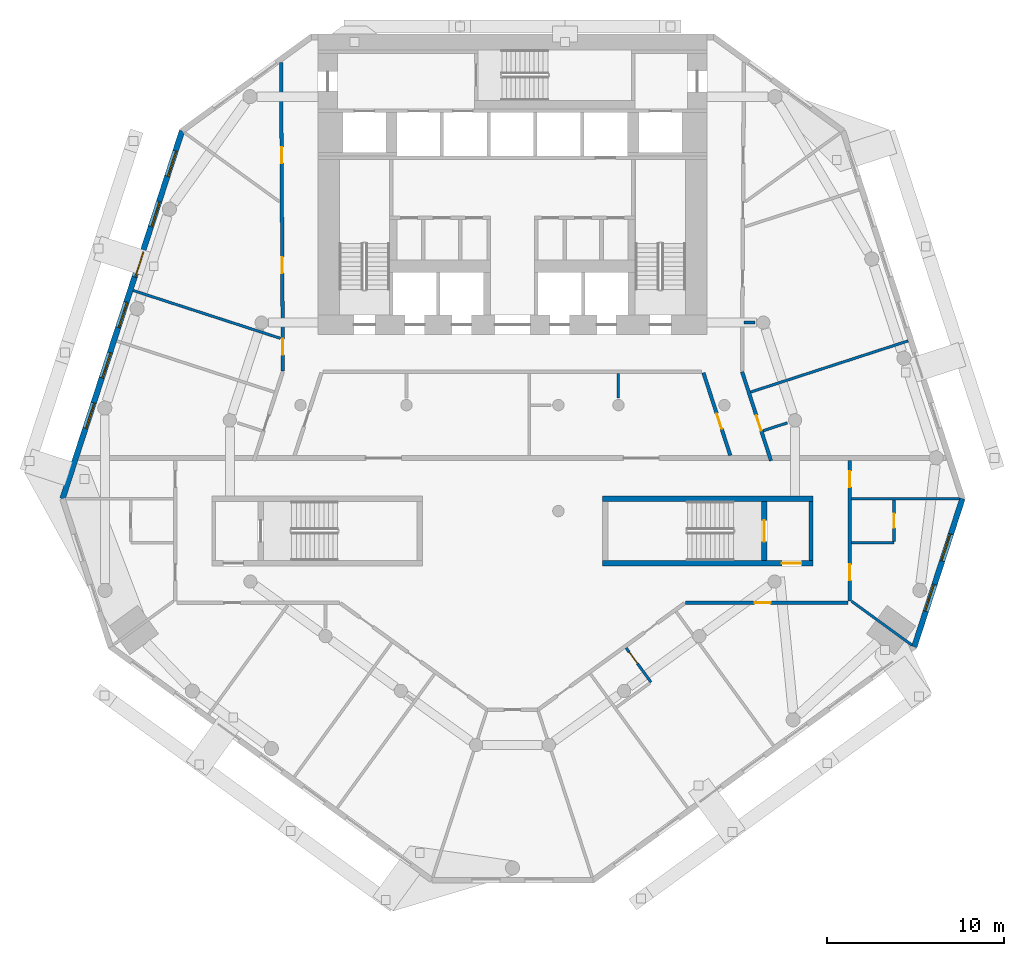
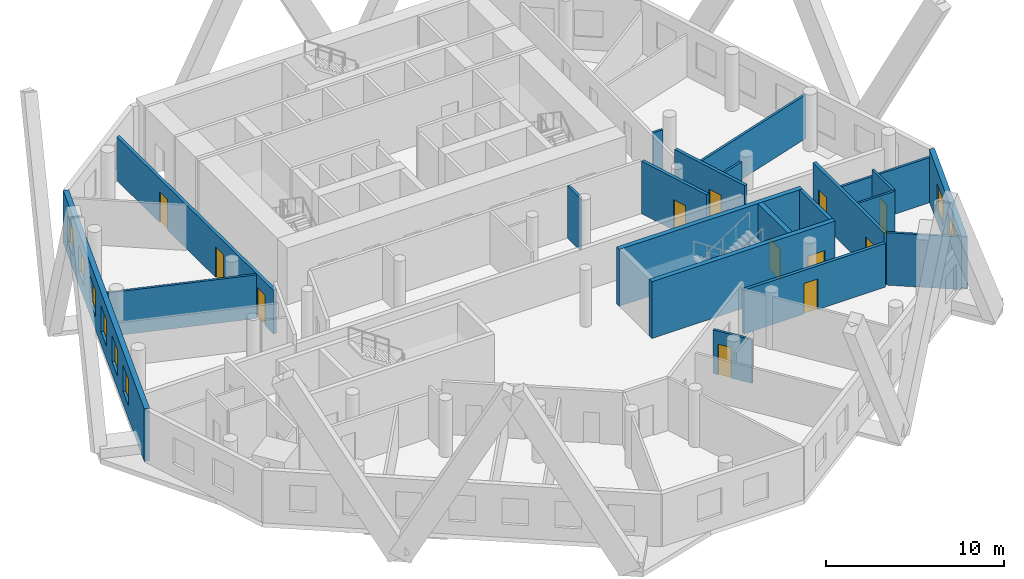
# One storey, part 5 of 10: 21 walls, 12 doors, 8 windows, 20 openings.
"""IFC4 building model written with IfcOpenShell, lengths in metres."""

from ifc_helpers import new_model, si_unit, direction, frame, frame_2d, origin, place, context, subcontext, project, spatial, rectangle, extrude, material, layer, layer_set, type_object, element, fill, save


model = new_model("IFC4")

# Units and contexts
model_context = context("Model", 3, precision=1e-05, world=origin(), true_north=direction((0.0, 1.0)))
body_context = subcontext(model_context, "Body", "Model", "MODEL_VIEW")
ifc_project = project(units=[si_unit("LENGTHUNIT", "METRE"), si_unit("AREAUNIT", "SQUARE_METRE"), si_unit("VOLUMEUNIT", "CUBIC_METRE"), si_unit("PLANEANGLEUNIT", "RADIAN"), si_unit("MASSUNIT", "GRAM", prefix="KILO")], contexts=[model_context])

# Site, building, storey
site_placement = place(None, origin())
site = spatial("IfcSite", under=ifc_project, at=site_placement, CompositionType="ELEMENT")
building_placement = place(site_placement, origin())
building = spatial("IfcBuilding", under=site, at=building_placement, Name="White Candle Pilgrim Tower", CompositionType="ELEMENT")
storey_placement = place(building_placement, frame((0.0, 0.0, 125.89990234375)))
storey = spatial("IfcBuildingStorey", under=building, at=storey_placement, Name="L28", CompositionType="ELEMENT", Elevation=125.89990234375)

# Wall
ifc_material_1 = material(Name="Concrete C60/75", Category="concrete")
ifc_layer_1 = layer(ifc_material_1, 0.199951171875)
ifc_layer_set_1 = layer_set([ifc_layer_1], Name="Core wall 200 mm Concrete C60/75")
wall_type_1 = type_object("IfcWallType", Name="Core wall 200 mm Concrete C60/75", PredefinedType="SHEAR", material=ifc_layer_set_1)
wall_1_placement = place(storey_placement, frame((86.89990234375, 58.199951171875, 0.0), z_axis=(0.0, 0.0, 1.0), x_axis=(0.0, 1.0, 0.0)))
element("IfcWall", 1, at=wall_1_placement, inside=storey, type_object=wall_type_1, Name="WL-L28-C08", PredefinedType="SHEAR", context=body_context, shape_type="SweptSolid", body=[
    extrude(rectangle(XDim=3.35009765625, YDim=0.199951171875, at=frame_2d((1.675048828125, 0.0))), origin(), (0.0, 0.0, 1.0), 3.900146484375),
])

# Wall, openings, doors
ifc_material_2 = material(Name="Gypsum board on steel studs", Category="steel")
ifc_layer_2 = layer(ifc_material_2, 0.199951171875)
ifc_layer_set_2 = layer_set([ifc_layer_2], Name="Corridor wall 200 mm EI 45")
wall_type_2 = type_object("IfcWallType", Name="Corridor wall 200 mm EI 45", PredefinedType="PARTITIONING", material=ifc_layer_set_2)
wall_2_placement = place(storey_placement, frame((57.00390625, 68.916015625, 0.0), z_axis=(0.0, 0.0, 1.0), x_axis=(-0.005949698459, 0.999982300387, 0.0)))
wall_2 = element("IfcWall", 2, at=wall_2_placement, inside=storey, type_object=wall_type_2, Name="WL-L28-P003", PredefinedType="PARTITIONING", context=body_context, shape_type="SweptSolid", body=[
    extrude(rectangle(XDim=17.48046875, YDim=0.199951171875, at=frame_2d((8.740234375, 0.0))), origin(), (0.0, 0.0, 1.0), 3.0),
])
opening_1_placement = place(wall_2_placement, frame((0.931396484375, 0.0, 0.0)))
opening_1 = element("IfcOpeningElement", 3, at=opening_1_placement, cuts=wall_2, Name="Opening T09-118", PredefinedType="OPENING", context=body_context, shape_type="SweptSolid", body=[
    extrude(rectangle(XDim=0.89990234375, YDim=2.10009765625, at=frame_2d((0.449951171875, 1.050048828125))), frame((0.0, 0.10986328125, 0.0), z_axis=(0.0, -1.0, 0.0), x_axis=(1.0, 0.0, 0.0)), (0.0, 0.0, 1.0), 0.219970703125),
])
opening_2_placement = place(wall_2_placement, frame((5.552978515625, 0.0, 0.0)))
opening_2 = element("IfcOpeningElement", 4, at=opening_2_placement, cuts=wall_2, Name="Opening T09-119", PredefinedType="OPENING", context=body_context, shape_type="SweptSolid", body=[
    extrude(rectangle(XDim=0.89990234375, YDim=2.10009765625, at=frame_2d((0.449951171875, 1.050048828125))), frame((0.0, 0.10986328125, 0.0), z_axis=(0.0, -1.0, 0.0), x_axis=(1.0, 0.0, 0.0)), (0.0, 0.0, 1.0), 0.219970703125),
])
opening_3_placement = place(wall_2_placement, frame((11.786376953125, 0.0, 0.0)))
opening_3 = element("IfcOpeningElement", 5, at=opening_3_placement, cuts=wall_2, Name="Opening T09-120", PredefinedType="OPENING", context=body_context, shape_type="SweptSolid", body=[
    extrude(rectangle(XDim=0.89990234375, YDim=2.10009765625, at=frame_2d((0.449951171875, 1.050048828125))), frame((0.0, 0.10986328125, 0.0), z_axis=(0.0, -1.0, 0.0), x_axis=(1.0, 0.0, 0.0)), (0.0, 0.0, 1.0), 0.219970703125),
])
ifc_material_3 = material(Name="Steel door leaf", Category="steel")
door_type_1 = type_object("IfcDoorType", Name="Fire door 900 x 2100 EI 30", OperationType="NOTDEFINED", PredefinedType="DOOR", material=ifc_material_3)
door_1_placement = place(opening_1_placement, origin())
door_1 = element("IfcDoor", 6, at=door_1_placement, inside=storey, type_object=door_type_1, Name="Door T09-118", OperationType="SINGLE_SWING_RIGHT", OverallHeight=2.10009765625, OverallWidth=0.89990234375, PredefinedType="DOOR", context=body_context, shape_type="SweptSolid", body=[
    extrude(rectangle(XDim=0.89990234375, YDim=2.10009765625, at=frame_2d((0.449951171875, 1.050048828125))), frame((0.0, 0.02490234375, 0.0), z_axis=(0.0, -1.0, 0.0), x_axis=(1.0, 0.0, 0.0)), (0.0, 0.0, 1.0), 0.050048828125),
])
fill(opening_1, door_1)
door_2_placement = place(opening_2_placement, origin())
door_2 = element("IfcDoor", 7, at=door_2_placement, inside=storey, type_object=door_type_1, Name="Door T09-119", OperationType="SINGLE_SWING_LEFT", OverallHeight=2.10009765625, OverallWidth=0.89990234375, PredefinedType="DOOR", context=body_context, shape_type="SweptSolid", body=[
    extrude(rectangle(XDim=0.89990234375, YDim=2.10009765625, at=frame_2d((0.449951171875, 1.050048828125))), frame((0.0, 0.02490234375, 0.0), z_axis=(0.0, -1.0, 0.0), x_axis=(1.0, 0.0, 0.0)), (0.0, 0.0, 1.0), 0.050048828125),
])
fill(opening_2, door_2)
door_3_placement = place(opening_3_placement, origin())
door_3 = element("IfcDoor", 8, at=door_3_placement, inside=storey, type_object=door_type_1, Name="Door T09-120", OperationType="SINGLE_SWING_RIGHT", OverallHeight=2.10009765625, OverallWidth=0.89990234375, PredefinedType="DOOR", context=body_context, shape_type="SweptSolid", body=[
    extrude(rectangle(XDim=0.89990234375, YDim=2.10009765625, at=frame_2d((0.449951171875, 1.050048828125))), frame((0.0, 0.02490234375, 0.0), z_axis=(0.0, -1.0, 0.0), x_axis=(1.0, 0.0, 0.0)), (0.0, 0.0, 1.0), 0.050048828125),
])
fill(opening_3, door_3)

# Wall, opening, door
wall_3_placement = place(storey_placement, frame((83.0009765625, 68.884521484375, 0.0), z_axis=(0.0, 0.0, 1.0), x_axis=(0.309051657945, -0.95104525272, 0.0)))
wall_3 = element("IfcWall", 9, at=wall_3_placement, inside=storey, type_object=wall_type_2, Name="WL-L28-P005", PredefinedType="PARTITIONING", context=body_context, shape_type="SweptSolid", body=[
    extrude(rectangle(XDim=5.29345703125, YDim=0.199951171875, at=frame_2d((2.646728515625, 0.0))), origin(), (0.0, 0.0, 1.0), 3.60009765625),
])
opening_4_placement = place(wall_3_placement, frame((2.602294921875, 0.0, 0.0)))
opening_4 = element("IfcOpeningElement", 10, at=opening_4_placement, cuts=wall_3, Name="Opening T09-124", PredefinedType="OPENING", context=body_context, shape_type="SweptSolid", body=[
    extrude(rectangle(XDim=0.89990234375, YDim=2.10009765625, at=frame_2d((0.449951171875, 1.050048828125))), frame((0.0, 0.10986328125, 0.0), z_axis=(0.0, -1.0, 0.0), x_axis=(1.0, 0.0, 0.0)), (0.0, 0.0, 1.0), 0.219970703125),
])
door_4_placement = place(opening_4_placement, origin())
door_4 = element("IfcDoor", 11, at=door_4_placement, inside=storey, type_object=door_type_1, Name="Door T09-124", OperationType="SINGLE_SWING_RIGHT", OverallHeight=2.10009765625, OverallWidth=0.89990234375, PredefinedType="DOOR", context=body_context, shape_type="SweptSolid", body=[
    extrude(rectangle(XDim=0.89990234375, YDim=2.10009765625, at=frame_2d((0.449951171875, 1.050048828125))), frame((0.0, 0.02490234375, 0.0), z_axis=(0.0, -1.0, 0.0), x_axis=(1.0, 0.0, 0.0)), (0.0, 0.0, 1.0), 0.050048828125),
])
fill(opening_4, door_4)

# Wall, openings, doors
wall_4_placement = place(storey_placement, frame((89.10009765625, 63.85009765625, 0.0), z_axis=(0.0, 0.0, 1.0), x_axis=(0.0, -1.0, 0.0)))
wall_4 = element("IfcWall", 12, at=wall_4_placement, inside=storey, type_object=wall_type_2, Name="WL-L28-P006", PredefinedType="PARTITIONING", context=body_context, shape_type="SweptSolid", body=[
    extrude(rectangle(XDim=7.9501953125, YDim=0.199951171875, at=frame_2d((3.97509765625, 0.0))), origin(), (0.0, 0.0, 1.0), 3.60009765625),
])
opening_5_placement = place(wall_4_placement, frame((5.867919921875, 0.0, 0.0)))
opening_5 = element("IfcOpeningElement", 13, at=opening_5_placement, cuts=wall_4, Name="Opening T09-113", PredefinedType="OPENING", context=body_context, shape_type="SweptSolid", body=[
    extrude(rectangle(XDim=0.89990234375, YDim=2.10009765625, at=frame_2d((0.449951171875, 1.050048828125))), frame((0.0, 0.10986328125, 0.0), z_axis=(0.0, -1.0, 0.0), x_axis=(1.0, 0.0, 0.0)), (0.0, 0.0, 1.0), 0.219970703125),
])
opening_6_placement = place(wall_4_placement, frame((0.587890625, 0.0, 0.0)))
opening_6 = element("IfcOpeningElement", 14, at=opening_6_placement, cuts=wall_4, Name="Opening T09-125", PredefinedType="OPENING", context=body_context, shape_type="SweptSolid", body=[
    extrude(rectangle(XDim=0.89990234375, YDim=2.10009765625, at=frame_2d((0.449951171875, 1.050048828125))), frame((0.0, 0.10986328125, 0.0), z_axis=(0.0, -1.0, 0.0), x_axis=(1.0, 0.0, 0.0)), (0.0, 0.0, 1.0), 0.219970703125),
])
door_5_placement = place(opening_5_placement, origin())
door_5 = element("IfcDoor", 15, at=door_5_placement, inside=storey, type_object=door_type_1, Name="Door T09-113", OperationType="SINGLE_SWING_LEFT", OverallHeight=2.10009765625, OverallWidth=0.89990234375, PredefinedType="DOOR", context=body_context, shape_type="SweptSolid", body=[
    extrude(rectangle(XDim=0.89990234375, YDim=2.10009765625, at=frame_2d((0.449951171875, 1.050048828125))), frame((0.0, 0.02490234375, 0.0), z_axis=(0.0, -1.0, 0.0), x_axis=(1.0, 0.0, 0.0)), (0.0, 0.0, 1.0), 0.050048828125),
])
fill(opening_5, door_5)
door_6_placement = place(opening_6_placement, origin())
door_6 = element("IfcDoor", 16, at=door_6_placement, inside=storey, type_object=door_type_1, Name="Door T09-125", OperationType="SINGLE_SWING_LEFT", OverallHeight=2.10009765625, OverallWidth=0.89990234375, PredefinedType="DOOR", context=body_context, shape_type="SweptSolid", body=[
    extrude(rectangle(XDim=0.89990234375, YDim=2.10009765625, at=frame_2d((0.449951171875, 1.050048828125))), frame((0.0, 0.02490234375, 0.0), z_axis=(0.0, -1.0, 0.0), x_axis=(1.0, 0.0, 0.0)), (0.0, 0.0, 1.0), 0.050048828125),
])
fill(opening_6, door_6)

# Wall, opening, door
wall_5_placement = place(storey_placement, frame((89.0, 55.800048828125, 0.0), z_axis=(0.0, 0.0, 1.0), x_axis=(-1.0, 0.0, 0.0)))
wall_5 = element("IfcWall", 17, at=wall_5_placement, inside=storey, type_object=wall_type_2, Name="WL-L28-P007", PredefinedType="PARTITIONING", context=body_context, shape_type="SweptSolid", body=[
    extrude(rectangle(XDim=9.2001953125, YDim=0.199951171875, at=frame_2d((4.60009765625, 0.0))), origin(), (0.0, 0.0, 1.0), 3.0),
])
opening_7_placement = place(wall_5_placement, frame((4.391357421875, 0.0, 0.0)))
opening_7 = element("IfcOpeningElement", 18, at=opening_7_placement, cuts=wall_5, Name="Opening T09-111", PredefinedType="OPENING", context=body_context, shape_type="SweptSolid", body=[
    extrude(rectangle(XDim=0.89990234375, YDim=2.10009765625, at=frame_2d((0.449951171875, 1.050048828125))), frame((0.0, 0.10986328125, 0.0), z_axis=(0.0, -1.0, 0.0), x_axis=(1.0, 0.0, 0.0)), (0.0, 0.0, 1.0), 0.219970703125),
])
door_7_placement = place(opening_7_placement, origin())
door_7 = element("IfcDoor", 19, at=door_7_placement, inside=storey, type_object=door_type_1, Name="Door T09-111", OperationType="SINGLE_SWING_LEFT", OverallHeight=2.10009765625, OverallWidth=0.89990234375, PredefinedType="DOOR", context=body_context, shape_type="SweptSolid", body=[
    extrude(rectangle(XDim=0.89990234375, YDim=2.10009765625, at=frame_2d((0.449951171875, 1.050048828125))), frame((0.0, 0.02490234375, 0.0), z_axis=(0.0, -1.0, 0.0), x_axis=(1.0, 0.0, 0.0)), (0.0, 0.0, 1.0), 0.050048828125),
])
fill(opening_7, door_7)

wall_6_placement = place(storey_placement, frame((82.331298828125, 64.14990234375, 0.0), z_axis=(0.0, 0.0, 1.0), x_axis=(-0.309031112369, 0.951051928965, 0.0)))
wall_6 = element("IfcWall", 20, at=wall_6_placement, inside=storey, type_object=wall_type_2, Name="WL-L28-P015", PredefinedType="PARTITIONING", context=body_context, shape_type="SweptSolid", body=[
    extrude(rectangle(XDim=4.921875, YDim=0.199951171875, at=frame_2d((2.4609375, 0.0))), origin(), (0.0, 0.0, 1.0), 3.60009765625),
])
opening_8_placement = place(wall_6_placement, frame((1.58447265625, 0.0, 0.0)))
opening_8 = element("IfcOpeningElement", 21, at=opening_8_placement, cuts=wall_6, Name="Opening T09-126", PredefinedType="OPENING", context=body_context, shape_type="SweptSolid", body=[
    extrude(rectangle(XDim=0.89990234375, YDim=2.10009765625, at=frame_2d((0.449951171875, 1.050048828125))), frame((0.0, 0.10986328125, 0.0), z_axis=(0.0, -1.0, 0.0), x_axis=(1.0, 0.0, 0.0)), (0.0, 0.0, 1.0), 0.219970703125),
])
door_8_placement = place(opening_8_placement, origin())
door_8 = element("IfcDoor", 22, at=door_8_placement, inside=storey, type_object=door_type_1, Name="Door T09-126", OperationType="SINGLE_SWING_RIGHT", OverallHeight=2.10009765625, OverallWidth=0.89990234375, PredefinedType="DOOR", context=body_context, shape_type="SweptSolid", body=[
    extrude(rectangle(XDim=0.89990234375, YDim=2.10009765625, at=frame_2d((0.449951171875, 1.050048828125))), frame((0.0, 0.02490234375, 0.0), z_axis=(0.0, -1.0, 0.0), x_axis=(1.0, 0.0, 0.0)), (0.0, 0.0, 1.0), 0.050048828125),
])
fill(opening_8, door_8)

# Wall, openings, windows
ifc_material_4 = material(Name="Precast concrete C40/50", Category="concrete")
ifc_layer_3 = layer(ifc_material_4, 0.320068359375)
ifc_layer_set_3 = layer_set([ifc_layer_3], Name="Facade wall EW1 precast concrete C40/50 pier wall with timber-lined reveals")
wall_type_3 = type_object("IfcWallType", Name="Facade wall EW1 precast concrete C40/50 pier wall with timber-lined reveals", PredefinedType="SOLIDWALL", material=ifc_layer_set_3)
wall_7_placement = place(storey_placement, frame((92.74755859375, 53.31494140625, 0.0), z_axis=(0.0, 0.0, 1.0), x_axis=(0.309007169839, 0.951059708424, 0.0)))
wall_7 = element("IfcWall", 23, at=wall_7_placement, inside=storey, type_object=wall_type_3, Name="Facade wall L28 E chamfer", PredefinedType="SOLIDWALL", context=body_context, shape_type="SweptSolid", body=[
    extrude(rectangle(XDim=8.815673828125, YDim=0.320068359375, at=frame_2d((4.40771484375, 0.0))), origin(), (0.0, 0.0, 1.0), 3.60009765625),
])
opening_9_placement = place(wall_7_placement, frame((2.10791015625, 0.0, 0.89990234375)))
opening_9 = element("IfcOpeningElement", 24, at=opening_9_placement, cuts=wall_7, Name="Opening W2", PredefinedType="OPENING", context=body_context, shape_type="SweptSolid", body=[
    extrude(rectangle(XDim=1.60009765625, YDim=1.800048828125, at=frame_2d((0.800048828125, 0.89990234375))), frame((0.0, 0.169921875, 0.0), z_axis=(0.0, -1.0, 0.0), x_axis=(1.0, 0.0, 0.0)), (0.0, 0.0, 1.0), 0.340087890625),
])
opening_10_placement = place(wall_7_placement, frame((5.10791015625, 0.0, 0.89990234375)))
opening_10 = element("IfcOpeningElement", 25, at=opening_10_placement, cuts=wall_7, Name="Opening W2", PredefinedType="OPENING", context=body_context, shape_type="SweptSolid", body=[
    extrude(rectangle(XDim=1.60009765625, YDim=1.800048828125, at=frame_2d((0.800048828125, 0.89990234375))), frame((0.0, 0.169921875, 0.0), z_axis=(0.0, -1.0, 0.0), x_axis=(1.0, 0.0, 0.0)), (0.0, 0.0, 1.0), 0.340087890625),
])
ifc_material_5 = material(Name="Timber frame with triple glazing", Category="wood")
window_type_1 = type_object("IfcWindowType", Name="Window W2 1600x1800 timber frame triple glazing", PartitioningType="SINGLE_PANEL", PredefinedType="WINDOW", material=ifc_material_5)
window_1_placement = place(opening_9_placement, origin())
window_1 = element("IfcWindow", 26, at=window_1_placement, inside=storey, type_object=window_type_1, Name="Window W2 L28 E chamfer 1", OverallHeight=1.800048828125, OverallWidth=1.60009765625, PartitioningType="SINGLE_PANEL", PredefinedType="WINDOW", context=body_context, shape_type="SweptSolid", body=[
    extrude(rectangle(XDim=1.60009765625, YDim=1.800048828125, at=frame_2d((0.800048828125, 0.89990234375))), frame((0.0, 0.070068359375, 0.0), z_axis=(0.0, -1.0, 0.0), x_axis=(1.0, 0.0, 0.0)), (0.0, 0.0, 1.0), 0.06005859375),
])
fill(opening_9, window_1)
window_2_placement = place(opening_10_placement, origin())
window_2 = element("IfcWindow", 27, at=window_2_placement, inside=storey, type_object=window_type_1, Name="Window W2 L28 E chamfer 2", OverallHeight=1.800048828125, OverallWidth=1.60009765625, PartitioningType="SINGLE_PANEL", PredefinedType="WINDOW", context=body_context, shape_type="SweptSolid", body=[
    extrude(rectangle(XDim=1.60009765625, YDim=1.800048828125, at=frame_2d((0.800048828125, 0.89990234375))), frame((0.0, 0.070068359375, 0.0), z_axis=(0.0, -1.0, 0.0), x_axis=(1.0, 0.0, 0.0)), (0.0, 0.0, 1.0), 0.06005859375),
])
fill(opening_10, window_2)

wall_8_placement = place(storey_placement, frame((51.29345703125, 82.520751953125, 0.0), z_axis=(0.0, 0.0, 1.0), x_axis=(-0.309009164157, -0.951059060452, 0.0)))
wall_8 = element("IfcWall", 28, at=wall_8_placement, inside=storey, type_object=wall_type_3, Name="Facade wall L28 WNW", PredefinedType="SOLIDWALL", context=body_context, shape_type="SweptSolid", body=[
    extrude(rectangle(XDim=21.89306640625, YDim=0.320068359375, at=frame_2d((10.946533203125, 0.0))), origin(), (0.0, 0.0, 1.0), 3.60009765625),
])
opening_11_placement = place(wall_8_placement, frame((1.196533203125, 0.0, 0.89990234375)))
opening_11 = element("IfcOpeningElement", 29, at=opening_11_placement, cuts=wall_8, Name="Opening W1", PredefinedType="OPENING", context=body_context, shape_type="SweptSolid", body=[
    extrude(rectangle(XDim=1.5, YDim=1.800048828125, at=frame_2d((0.75, 0.89990234375))), frame((0.0, 0.169921875, 0.0), z_axis=(0.0, -1.0, 0.0), x_axis=(1.0, 0.0, 0.0)), (0.0, 0.0, 1.0), 0.340087890625),
])
opening_12_placement = place(wall_8_placement, frame((4.196533203125, 0.0, 0.89990234375)))
opening_12 = element("IfcOpeningElement", 30, at=opening_12_placement, cuts=wall_8, Name="Opening W1", PredefinedType="OPENING", context=body_context, shape_type="SweptSolid", body=[
    extrude(rectangle(XDim=1.5, YDim=1.800048828125, at=frame_2d((0.75, 0.89990234375))), frame((0.0, 0.169921875, 0.0), z_axis=(0.0, -1.0, 0.0), x_axis=(1.0, 0.0, 0.0)), (0.0, 0.0, 1.0), 0.340087890625),
])
opening_13_placement = place(wall_8_placement, frame((7.196533203125, 0.0, 0.89990234375)))
opening_13 = element("IfcOpeningElement", 31, at=opening_13_placement, cuts=wall_8, Name="Opening W1", PredefinedType="OPENING", context=body_context, shape_type="SweptSolid", body=[
    extrude(rectangle(XDim=1.5, YDim=1.800048828125, at=frame_2d((0.75, 0.89990234375))), frame((0.0, 0.169921875, 0.0), z_axis=(0.0, -1.0, 0.0), x_axis=(1.0, 0.0, 0.0)), (0.0, 0.0, 1.0), 0.340087890625),
])
opening_14_placement = place(wall_8_placement, frame((10.196533203125, 0.0, 0.89990234375)))
opening_14 = element("IfcOpeningElement", 32, at=opening_14_placement, cuts=wall_8, Name="Opening W1", PredefinedType="OPENING", context=body_context, shape_type="SweptSolid", body=[
    extrude(rectangle(XDim=1.5, YDim=1.800048828125, at=frame_2d((0.75, 0.89990234375))), frame((0.0, 0.169921875, 0.0), z_axis=(0.0, -1.0, 0.0), x_axis=(1.0, 0.0, 0.0)), (0.0, 0.0, 1.0), 0.340087890625),
])
opening_15_placement = place(wall_8_placement, frame((13.196533203125, 0.0, 0.89990234375)))
opening_15 = element("IfcOpeningElement", 33, at=opening_15_placement, cuts=wall_8, Name="Opening W1", PredefinedType="OPENING", context=body_context, shape_type="SweptSolid", body=[
    extrude(rectangle(XDim=1.5, YDim=1.800048828125, at=frame_2d((0.75, 0.89990234375))), frame((0.0, 0.169921875, 0.0), z_axis=(0.0, -1.0, 0.0), x_axis=(1.0, 0.0, 0.0)), (0.0, 0.0, 1.0), 0.340087890625),
])
opening_16_placement = place(wall_8_placement, frame((16.196533203125, 0.0, 0.89990234375)))
opening_16 = element("IfcOpeningElement", 34, at=opening_16_placement, cuts=wall_8, Name="Opening W1", PredefinedType="OPENING", context=body_context, shape_type="SweptSolid", body=[
    extrude(rectangle(XDim=1.5, YDim=1.800048828125, at=frame_2d((0.75, 0.89990234375))), frame((0.0, 0.169921875, 0.0), z_axis=(0.0, -1.0, 0.0), x_axis=(1.0, 0.0, 0.0)), (0.0, 0.0, 1.0), 0.340087890625),
])
window_type_2 = type_object("IfcWindowType", Name="Window W1 1500x1800 timber frame triple glazing", PartitioningType="SINGLE_PANEL", PredefinedType="WINDOW", material=ifc_material_5)
window_3_placement = place(opening_11_placement, origin())
window_3 = element("IfcWindow", 35, at=window_3_placement, inside=storey, type_object=window_type_2, Name="Window W1 L28 WNW 1", OverallHeight=1.800048828125, OverallWidth=1.5, PartitioningType="SINGLE_PANEL", PredefinedType="WINDOW", context=body_context, shape_type="SweptSolid", body=[
    extrude(rectangle(XDim=1.5, YDim=1.800048828125, at=frame_2d((0.75, 0.89990234375))), frame((0.0, 0.070068359375, 0.0), z_axis=(0.0, -1.0, 0.0), x_axis=(1.0, 0.0, 0.0)), (0.0, 0.0, 1.0), 0.06005859375),
])
fill(opening_11, window_3)
window_4_placement = place(opening_12_placement, origin())
window_4 = element("IfcWindow", 36, at=window_4_placement, inside=storey, type_object=window_type_2, Name="Window W1 L28 WNW 2", OverallHeight=1.800048828125, OverallWidth=1.5, PartitioningType="SINGLE_PANEL", PredefinedType="WINDOW", context=body_context, shape_type="SweptSolid", body=[
    extrude(rectangle(XDim=1.5, YDim=1.800048828125, at=frame_2d((0.75, 0.89990234375))), frame((0.0, 0.070068359375, 0.0), z_axis=(0.0, -1.0, 0.0), x_axis=(1.0, 0.0, 0.0)), (0.0, 0.0, 1.0), 0.06005859375),
])
fill(opening_12, window_4)
window_5_placement = place(opening_13_placement, origin())
window_5 = element("IfcWindow", 37, at=window_5_placement, inside=storey, type_object=window_type_2, Name="Window W1 L28 WNW 3", OverallHeight=1.800048828125, OverallWidth=1.5, PartitioningType="SINGLE_PANEL", PredefinedType="WINDOW", context=body_context, shape_type="SweptSolid", body=[
    extrude(rectangle(XDim=1.5, YDim=1.800048828125, at=frame_2d((0.75, 0.89990234375))), frame((0.0, 0.070068359375, 0.0), z_axis=(0.0, -1.0, 0.0), x_axis=(1.0, 0.0, 0.0)), (0.0, 0.0, 1.0), 0.06005859375),
])
fill(opening_13, window_5)
window_6_placement = place(opening_14_placement, origin())
window_6 = element("IfcWindow", 38, at=window_6_placement, inside=storey, type_object=window_type_2, Name="Window W1 L28 WNW 4", OverallHeight=1.800048828125, OverallWidth=1.5, PartitioningType="SINGLE_PANEL", PredefinedType="WINDOW", context=body_context, shape_type="SweptSolid", body=[
    extrude(rectangle(XDim=1.5, YDim=1.800048828125, at=frame_2d((0.75, 0.89990234375))), frame((0.0, 0.070068359375, 0.0), z_axis=(0.0, -1.0, 0.0), x_axis=(1.0, 0.0, 0.0)), (0.0, 0.0, 1.0), 0.06005859375),
])
fill(opening_14, window_6)
window_7_placement = place(opening_15_placement, origin())
window_7 = element("IfcWindow", 39, at=window_7_placement, inside=storey, type_object=window_type_2, Name="Window W1 L28 WNW 5", OverallHeight=1.800048828125, OverallWidth=1.5, PartitioningType="SINGLE_PANEL", PredefinedType="WINDOW", context=body_context, shape_type="SweptSolid", body=[
    extrude(rectangle(XDim=1.5, YDim=1.800048828125, at=frame_2d((0.75, 0.89990234375))), frame((0.0, 0.070068359375, 0.0), z_axis=(0.0, -1.0, 0.0), x_axis=(1.0, 0.0, 0.0)), (0.0, 0.0, 1.0), 0.06005859375),
])
fill(opening_15, window_7)
window_8_placement = place(opening_16_placement, origin())
window_8 = element("IfcWindow", 40, at=window_8_placement, inside=storey, type_object=window_type_2, Name="Window W1 L28 WNW 6", OverallHeight=1.800048828125, OverallWidth=1.5, PartitioningType="SINGLE_PANEL", PredefinedType="WINDOW", context=body_context, shape_type="SweptSolid", body=[
    extrude(rectangle(XDim=1.5, YDim=1.800048828125, at=frame_2d((0.75, 0.89990234375))), frame((0.0, 0.070068359375, 0.0), z_axis=(0.0, -1.0, 0.0), x_axis=(1.0, 0.0, 0.0)), (0.0, 0.0, 1.0), 0.06005859375),
])
fill(opening_16, window_8)

# Walls
ifc_layer_4 = layer(ifc_material_2, 0.14990234375)
ifc_layer_set_4 = layer_set([ifc_layer_4], Name="Partition 150 mm EI 60")
wall_type_4 = type_object("IfcWallType", Name="Partition 150 mm EI 60", PredefinedType="PARTITIONING", material=ifc_layer_set_4)
wall_9_placement = place(storey_placement, frame((92.611572265625, 53.413818359375, 0.0), z_axis=(0.0, 0.0, 1.0), x_axis=(-0.809033589119, 0.587762410909, 0.0)))
element("IfcWall", 41, at=wall_9_placement, inside=storey, type_object=wall_type_4, Name="WL-L28-P021", PredefinedType="PARTITIONING", context=body_context, shape_type="SweptSolid", body=[
    extrude(rectangle(XDim=4.221435546875, YDim=0.14990234375, at=frame_2d((2.11083984375, 0.0))), origin(), (0.0, 0.0, 1.0), 3.60009765625),
])
wall_10_placement = place(storey_placement, frame((95.3037109375, 61.69921875, 0.0), z_axis=(0.0, 0.0, 1.0), x_axis=(-1.0, 0.0, 0.0)))
element("IfcWall", 42, at=wall_10_placement, inside=storey, type_object=wall_type_4, Name="WL-L28-P022", PredefinedType="PARTITIONING", context=body_context, shape_type="SweptSolid", body=[
    extrude(rectangle(XDim=6.103759765625, YDim=0.14990234375, at=frame_2d((3.0517578125, 0.0))), origin(), (0.0, 0.0, 1.0), 3.10009765625),
])
wall_11_placement = place(storey_placement, frame((48.526611328125, 73.487060546875, 0.0), z_axis=(0.0, 0.0, 1.0), x_axis=(0.951055133428, -0.309021250372, 0.0)))
element("IfcWall", 43, at=wall_11_placement, inside=storey, type_object=wall_type_4, Name="WL-L28-P024", PredefinedType="PARTITIONING", context=body_context, shape_type="SweptSolid", body=[
    extrude(rectangle(XDim=8.77197265625, YDim=0.14990234375, at=frame_2d((4.385986328125, 0.0))), origin(), (0.0, 0.0, 1.0), 3.0),
])

# Wall, opening, door
wall_12_placement = place(storey_placement, frame((76.432373046875, 53.25341796875, 0.0), z_axis=(0.0, 0.0, 1.0), x_axis=(0.587724050354, -0.809061456649, 0.0)))
wall_12 = element("IfcWall", 44, at=wall_12_placement, inside=storey, type_object=wall_type_4, Name="WL-L28-P033", PredefinedType="PARTITIONING", context=body_context, shape_type="SweptSolid", body=[
    extrude(rectangle(XDim=2.400146484375, YDim=0.14990234375, at=frame_2d((1.2001953125, 0.0))), origin(), (0.0, 0.0, 1.0), 3.0),
])
opening_17_placement = place(wall_12_placement, frame((0.300048828125, 0.0, 0.0)))
opening_17 = element("IfcOpeningElement", 45, at=opening_17_placement, cuts=wall_12, Name="Opening T09-109", PredefinedType="OPENING", context=body_context, shape_type="SweptSolid", body=[
    extrude(rectangle(XDim=0.800048828125, YDim=2.10009765625, at=frame_2d((0.39990234375, 1.050048828125))), frame((0.0, 0.0849609375, 0.0), z_axis=(0.0, -1.0, 0.0), x_axis=(1.0, 0.0, 0.0)), (0.0, 0.0, 1.0), 0.169921875),
])
door_type_2 = type_object("IfcDoorType", Name="Fire door 800 x 2100 EI 30", OperationType="NOTDEFINED", PredefinedType="DOOR", material=ifc_material_3)
door_9_placement = place(opening_17_placement, origin())
door_9 = element("IfcDoor", 46, at=door_9_placement, inside=storey, type_object=door_type_2, Name="Door T09-109", OperationType="SINGLE_SWING_LEFT", OverallHeight=2.10009765625, OverallWidth=0.800048828125, PredefinedType="DOOR", context=body_context, shape_type="SweptSolid", body=[
    extrude(rectangle(XDim=0.800048828125, YDim=2.10009765625, at=frame_2d((0.39990234375, 1.050048828125))), frame((0.0, 0.02490234375, 0.0), z_axis=(0.0, -1.0, 0.0), x_axis=(1.0, 0.0, 0.0)), (0.0, 0.0, 1.0), 0.050048828125),
])
fill(opening_17, door_9)

# Wall
wall_13_placement = place(storey_placement, frame((89.199951171875, 59.19921875, 0.0), z_axis=(0.0, 0.0, 1.0), x_axis=(1.0, 0.0, 0.0)))
element("IfcWall", 47, at=wall_13_placement, inside=storey, type_object=wall_type_4, Name="WL-L28-P035", PredefinedType="PARTITIONING", context=body_context, shape_type="SweptSolid", body=[
    extrude(rectangle(XDim=2.400146484375, YDim=0.14990234375, at=frame_2d((1.2001953125, 0.0))), origin(), (0.0, 0.0, 1.0), 3.60009765625),
])

# Wall, opening, door
wall_14_placement = place(storey_placement, frame((91.60009765625, 61.624267578125, 0.0), z_axis=(0.0, 0.0, 1.0), x_axis=(0.0, -1.0, 0.0)))
wall_14 = element("IfcWall", 48, at=wall_14_placement, inside=storey, type_object=wall_type_4, Name="WL-L28-P036", PredefinedType="PARTITIONING", context=body_context, shape_type="SweptSolid", body=[
    extrude(rectangle(XDim=2.35009765625, YDim=0.14990234375, at=frame_2d((1.175048828125, 0.0))), origin(), (0.0, 0.0, 1.0), 3.60009765625),
])
opening_18_placement = place(wall_14_placement, frame((0.77490234375, 0.0, 0.0)))
opening_18 = element("IfcOpeningElement", 49, at=opening_18_placement, cuts=wall_14, Name="Opening T09-112", PredefinedType="OPENING", context=body_context, shape_type="SweptSolid", body=[
    extrude(rectangle(XDim=0.800048828125, YDim=2.10009765625, at=frame_2d((0.39990234375, 1.050048828125))), frame((0.0, 0.0849609375, 0.0), z_axis=(0.0, -1.0, 0.0), x_axis=(1.0, 0.0, 0.0)), (0.0, 0.0, 1.0), 0.169921875),
])
door_10_placement = place(opening_18_placement, origin())
door_10 = element("IfcDoor", 50, at=door_10_placement, inside=storey, type_object=door_type_2, Name="Door T09-112", OperationType="SINGLE_SWING_RIGHT", OverallHeight=2.10009765625, OverallWidth=0.800048828125, PredefinedType="DOOR", context=body_context, shape_type="SweptSolid", body=[
    extrude(rectangle(XDim=0.800048828125, YDim=2.10009765625, at=frame_2d((0.39990234375, 1.050048828125))), frame((0.0, 0.02490234375, 0.0), z_axis=(0.0, -1.0, 0.0), x_axis=(1.0, 0.0, 0.0)), (0.0, 0.0, 1.0), 0.050048828125),
])
fill(opening_18, door_10)

# Walls
wall_15_placement = place(storey_placement, frame((92.400390625, 70.6337890625, 0.0), z_axis=(0.0, 0.0, 1.0), x_axis=(-0.951060843481, -0.309003676349, 0.0)))
element("IfcWall", 51, at=wall_15_placement, inside=storey, type_object=wall_type_4, Name="WL-L28-P037", PredefinedType="PARTITIONING", context=body_context, shape_type="SweptSolid", body=[
    extrude(rectangle(XDim=9.3798828125, YDim=0.14990234375, at=frame_2d((4.68994140625, 0.0))), origin(), (0.0, 0.0, 1.0), 3.0),
])
wall_16_placement = place(storey_placement, frame((85.558837890625, 65.992919921875, 0.0), z_axis=(0.0, 0.0, 1.0), x_axis=(-0.951031575326, -0.309093744246, 0.0)))
element("IfcWall", 52, at=wall_16_placement, inside=storey, type_object=wall_type_4, Name="WL-L28-P042", PredefinedType="PARTITIONING", context=body_context, shape_type="SweptSolid", body=[
    extrude(rectangle(XDim=1.439208984375, YDim=0.14990234375, at=frame_2d((0.7197265625, 0.0))), origin(), (0.0, 0.0, 1.0), 3.60009765625),
])
wall_17_placement = place(storey_placement, frame((83.735107421875, 71.67236328125, 0.0), z_axis=(0.0, 0.0, 1.0), x_axis=(-0.999982699411, 0.005882251173, 0.0)))
element("IfcWall", 53, at=wall_17_placement, inside=storey, type_object=wall_type_4, Name="WL-L28-P043", PredefinedType="PARTITIONING", context=body_context, shape_type="SweptSolid", body=[
    extrude(rectangle(XDim=0.62255859375, YDim=0.14990234375, at=frame_2d((0.311279296875, 0.0))), origin(), (0.0, 0.0, 1.0), 3.0),
])
wall_18_placement = place(storey_placement, frame((75.997802734375, 67.4150390625, 0.0), z_axis=(0.0, 0.0, 1.0), x_axis=(0.0, 1.0, 0.0)))
element("IfcWall", 54, at=wall_18_placement, inside=storey, type_object=wall_type_4, Name="WL-L28-P047", PredefinedType="PARTITIONING", context=body_context, shape_type="SweptSolid", body=[
    extrude(rectangle(XDim=1.385009765625, YDim=0.14990234375, at=frame_2d((0.6923828125, 0.0))), origin(), (0.0, 0.0, 1.0), 3.60009765625),
])

# Wall, opening, door
ifc_layer_5 = layer(ifc_material_1, 0.300048828125)
ifc_layer_set_5 = layer_set([ifc_layer_5], Name="Stair shaft wall 300 mm Concrete C60/75")
wall_type_5 = type_object("IfcWallType", Name="Stair shaft wall 300 mm Concrete C60/75", PredefinedType="SHEAR", material=ifc_layer_set_5)
wall_19_placement = place(storey_placement, frame((75.10009765625, 58.050048828125, 0.0), z_axis=(0.0, 0.0, 1.0), x_axis=(1.0, 0.0, 0.0)))
wall_19 = element("IfcWall", 55, at=wall_19_placement, inside=storey, type_object=wall_type_5, Name="WL-L28-C02", PredefinedType="SHEAR", context=body_context, shape_type="SweptSolid", body=[
    extrude(rectangle(XDim=11.89990234375, YDim=0.300048828125, at=frame_2d((5.949951171875, 0.0))), origin(), (0.0, 0.0, 1.0), 3.900146484375),
])
opening_19_placement = place(wall_19_placement, frame((10.14990234375, 0.0, 0.0)))
opening_19 = element("IfcOpeningElement", 56, at=opening_19_placement, cuts=wall_19, Name="Opening T09-009", PredefinedType="OPENING", context=body_context, shape_type="SweptSolid", body=[
    extrude(rectangle(XDim=1.10009765625, YDim=2.10009765625, at=frame_2d((0.550048828125, 1.050048828125))), frame((0.0, 0.159912109375, 0.0), z_axis=(0.0, -1.0, 0.0), x_axis=(1.0, 0.0, 0.0)), (0.0, 0.0, 1.0), 0.320068359375),
])
door_type_3 = type_object("IfcDoorType", Name="Fire door 1100 x 2100 EI 60", OperationType="NOTDEFINED", PredefinedType="DOOR", material=ifc_material_3)
door_11_placement = place(opening_19_placement, origin())
door_11 = element("IfcDoor", 57, at=door_11_placement, inside=storey, type_object=door_type_3, Name="Door T09-009", OperationType="SINGLE_SWING_LEFT", OverallHeight=2.10009765625, OverallWidth=1.10009765625, PredefinedType="DOOR", context=body_context, shape_type="SweptSolid", body=[
    extrude(rectangle(XDim=1.10009765625, YDim=2.10009765625, at=frame_2d((0.550048828125, 1.050048828125))), frame((0.0, 0.02490234375, 0.0), z_axis=(0.0, -1.0, 0.0), x_axis=(1.0, 0.0, 0.0)), (0.0, 0.0, 1.0), 0.050048828125),
])
fill(opening_19, door_11)

wall_20_placement = place(storey_placement, frame((84.25, 58.199951171875, 0.0), z_axis=(0.0, 0.0, 1.0), x_axis=(0.0, 1.0, 0.0)))
wall_20 = element("IfcWall", 58, at=wall_20_placement, inside=storey, type_object=wall_type_5, Name="WL-L28-C07", PredefinedType="SHEAR", context=body_context, shape_type="SweptSolid", body=[
    extrude(rectangle(XDim=3.35009765625, YDim=0.300048828125, at=frame_2d((1.675048828125, 0.0))), origin(), (0.0, 0.0, 1.0), 3.900146484375),
])
opening_20_placement = place(wall_20_placement, frame((1.074951171875, 0.0, 0.0)))
opening_20 = element("IfcOpeningElement", 59, at=opening_20_placement, cuts=wall_20, Name="Opening T09-010", PredefinedType="OPENING", context=body_context, shape_type="SweptSolid", body=[
    extrude(rectangle(XDim=1.199951171875, YDim=2.10009765625, at=frame_2d((0.60009765625, 1.050048828125))), frame((0.0, 0.159912109375, 0.0), z_axis=(0.0, -1.0, 0.0), x_axis=(1.0, 0.0, 0.0)), (0.0, 0.0, 1.0), 0.320068359375),
])
door_type_4 = type_object("IfcDoorType", Name="Fire door 1200 x 2100 EI 60", OperationType="NOTDEFINED", PredefinedType="DOOR", material=ifc_material_3)
door_12_placement = place(opening_20_placement, origin())
door_12 = element("IfcDoor", 60, at=door_12_placement, inside=storey, type_object=door_type_4, Name="Door T09-010", OperationType="SINGLE_SWING_RIGHT", OverallHeight=2.10009765625, OverallWidth=1.199951171875, PredefinedType="DOOR", context=body_context, shape_type="SweptSolid", body=[
    extrude(rectangle(XDim=1.199951171875, YDim=2.10009765625, at=frame_2d((0.60009765625, 1.050048828125))), frame((0.0, 0.02490234375, 0.0), z_axis=(0.0, -1.0, 0.0), x_axis=(1.0, 0.0, 0.0)), (0.0, 0.0, 1.0), 0.050048828125),
])
fill(opening_20, door_12)

# Wall
wall_21_placement = place(storey_placement, frame((75.10009765625, 61.699951171875, 0.0), z_axis=(0.0, 0.0, 1.0), x_axis=(1.0, 0.0, 0.0)))
element("IfcWall", 61, at=wall_21_placement, inside=storey, type_object=wall_type_5, Name="WL-L28-C10", PredefinedType="SHEAR", context=body_context, shape_type="SweptSolid", body=[
    extrude(rectangle(XDim=11.89990234375, YDim=0.300048828125, at=frame_2d((5.949951171875, 0.0))), origin(), (0.0, 0.0, 1.0), 3.900146484375),
])

save(model, "model.ifc")
